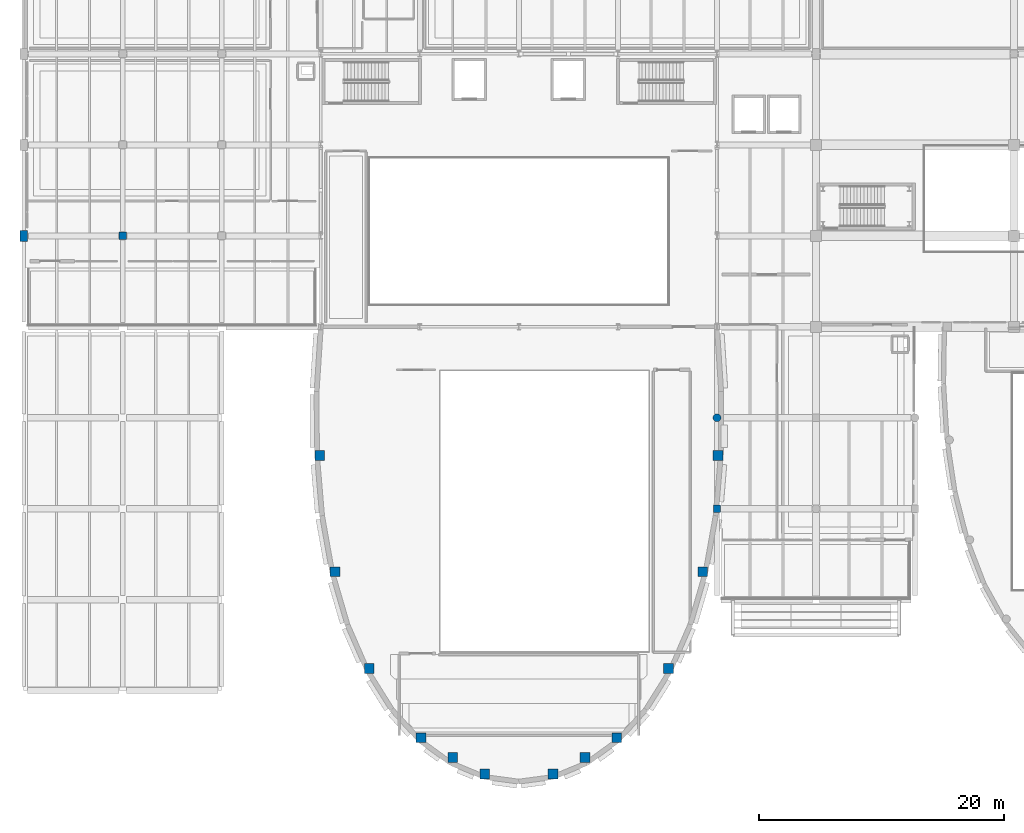
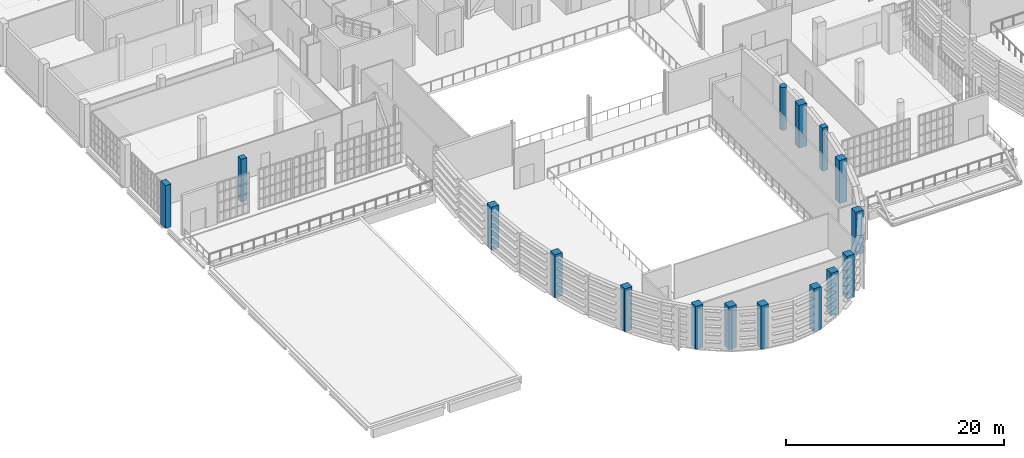
# One storey, part 1 of 104: 16 columns.
"""IFC4 building model written with IfcOpenShell, lengths in metres."""

from ifc_helpers import new_model, si_unit, direction, frame, origin, origin_2d, place, context, subcontext, project, spatial, rectangle, circle, extrude, material, material_profile, profile_set, type_object, element, save


model = new_model("IFC4")

# Units and contexts
model_context = context("Model", 3, precision=1e-05, world=origin(), true_north=direction((0.0, 1.0)))
body_context = subcontext(model_context, "Body", "Model", "MODEL_VIEW")
ifc_project = project(units=[si_unit("LENGTHUNIT", "METRE"), si_unit("AREAUNIT", "SQUARE_METRE"), si_unit("VOLUMEUNIT", "CUBIC_METRE"), si_unit("PLANEANGLEUNIT", "RADIAN"), si_unit("MASSUNIT", "GRAM", prefix="KILO")], contexts=[model_context])

# Site, building, storey
site_placement = place(None, origin())
site = spatial("IfcSite", under=ifc_project, at=site_placement, CompositionType="ELEMENT")
building_placement = place(site_placement, origin())
building = spatial("IfcBuilding", under=site, at=building_placement, Name="Kaelora Sail Theatre", CompositionType="ELEMENT")
storey_placement = place(building_placement, frame((0.0, 0.0, 5.39990234375)))
storey = spatial("IfcBuildingStorey", under=building, at=storey_placement, Name="L01", CompositionType="ELEMENT", Elevation=5.39990234375)

# Columns
ifc_material_1 = material(Name="Concrete C40/50", Category="concrete")
ifc_material_profile_1 = material_profile(ifc_material_1, rectangle(XDim=0.60009765625, YDim=0.60009765625, at=origin_2d()), Name="RC-COL 600x600")
ifc_profile_set_1 = profile_set([ifc_material_profile_1], Name="Concrete C40/50")
column_type_1 = type_object("IfcColumnType", Name="STR-COL-C-RC600", PredefinedType="COLUMN", material=ifc_profile_set_1)
for number, where, z_axis, x_axis, name in (
    (1, (9.60009765625, 68.4599609375, 0.0), (0.0, 0.0, 1.0), (1.0, 0.0, 0.0), "Column 2/J (L01)"),
    (2, (58.199951171875, 46.139892578125, 0.0), (0.0, 0.0, 1.0), (1.0, 0.0, 0.0), "Column 8/G (L01)"),
):
    element("IfcColumn", number, at=place(storey_placement, frame(where, z_axis=z_axis, x_axis=x_axis)), inside=storey, type_object=column_type_1, Name=name, PredefinedType="COLUMN", context=body_context, shape_type="SweptSolid", body=[
        extrude(rectangle(XDim=0.60009765625, YDim=0.60009765625, at=origin_2d()), origin(), (0.0, 0.0, 1.0), 4.800048828125),
    ])
ifc_material_2 = material(Name="Concrete C45/55", Category="concrete")
ifc_material_profile_2 = material_profile(ifc_material_2, rectangle(XDim=0.60009765625, YDim=0.89990234375, at=origin_2d()), Name="RC-COL 600x900")
ifc_profile_set_2 = profile_set([ifc_material_profile_2], Name="Concrete C45/55")
column_type_2 = type_object("IfcColumnType", Name="STR-COL-C-RC6090", PredefinedType="COLUMN", material=ifc_profile_set_2)
column_1_placement = place(storey_placement, frame((1.5, 68.4599609375, 0.0), z_axis=(0.0, 0.0, 1.0), x_axis=(1.0, 0.0, 0.0)))
element("IfcColumn", 3, at=column_1_placement, inside=storey, type_object=column_type_2, Name="Column 1/J (L01)", PredefinedType="COLUMN", context=body_context, shape_type="SweptSolid", body=[
    extrude(rectangle(XDim=0.60009765625, YDim=0.89990234375, at=origin_2d()), origin(), (0.0, 0.0, 1.0), 4.800048828125),
])
ifc_material_3 = material(Name="Concrete C50/60", Category="concrete")
ifc_material_profile_3 = material_profile(ifc_material_3, rectangle(XDim=0.800048828125, YDim=0.800048828125, at=origin_2d()), Name="RC-COL 800x800")
ifc_profile_set_3 = profile_set([ifc_material_profile_3], Name="Concrete C50/60")
column_type_3 = type_object("IfcColumnType", Name="STR-COL-C-RC800", PredefinedType="COLUMN", material=ifc_profile_set_3)
for number, where, z_axis, x_axis, name in (
    (4, (58.28369140625, 50.482421875, 0.0), (0.0, 0.0, 1.0), (1.0, 0.0, 0.0), "Main drum perimeter column MK02 (L01)"),
    (5, (57.040283203125, 40.99072265625, 0.0), (0.0, 0.0, 1.0), (1.0, 0.0, 0.0), "Main drum perimeter column MK04 (L01)"),
    (6, (54.228759765625, 33.08349609375, 0.0), (0.0, 0.0, 1.0), (1.0, 0.0, 0.0), "Main drum perimeter column MK06 (L01)"),
    (7, (49.997314453125, 27.403076171875, 0.0), (0.0, 0.0, 1.0), (1.0, 0.0, 0.0), "Main drum perimeter column MK08 (L01)"),
    (8, (44.78271484375, 24.436767578125, 0.0), (0.0, 0.0, 1.0), (1.0, 0.0, 0.0), "Main drum perimeter column MK10 (L01)"),
    (9, (39.21728515625, 24.436767578125, 0.0), (0.0, 0.0, 1.0), (1.0, 0.0, 0.0), "Main drum perimeter column MK12 (L01)"),
    (10, (34.002685546875, 27.403076171875, 0.0), (0.0, 0.0, 1.0), (1.0, 0.0, 0.0), "Main drum perimeter column MK14 (L01)"),
    (11, (29.771240234375, 33.08349609375, 0.0), (0.0, 0.0, 1.0), (1.0, 0.0, 0.0), "Main drum perimeter column MK16 (L01)"),
    (12, (26.959716796875, 40.99072265625, 0.0), (0.0, 0.0, 1.0), (1.0, 0.0, 0.0), "Main drum perimeter column MK18 (L01)"),
    (13, (25.71630859375, 50.482421875, 0.0), (0.0, 0.0, 1.0), (1.0, 0.0, 0.0), "Main drum perimeter column MK20 (L01)"),
    (14, (36.60009765625, 25.800048828125, 0.0), (0.0, 0.0, 1.0), (1.0, 0.0, 0.0), "Main shell prow fulcrum column W (L01)"),
    (15, (47.39990234375, 25.800048828125, 0.0), (0.0, 0.0, 1.0), (1.0, 0.0, 0.0), "Main shell prow fulcrum column E (L01)"),
):
    element("IfcColumn", number, at=place(storey_placement, frame(where, z_axis=z_axis, x_axis=x_axis)), inside=storey, type_object=column_type_3, Name=name, PredefinedType="COLUMN", context=body_context, shape_type="SweptSolid", body=[
        extrude(rectangle(XDim=0.800048828125, YDim=0.800048828125, at=origin_2d()), origin(), (0.0, 0.0, 1.0), 4.800048828125),
    ])
ifc_material_4 = material(Name="Concrete C45/55", Category="concrete")
ifc_material_profile_4 = material_profile(ifc_material_4, circle(Radius=0.324951171875, at=origin_2d()), Name="RC-CCOL D650")
ifc_profile_set_4 = profile_set([ifc_material_profile_4], Name="Concrete C45/55")
column_type_4 = type_object("IfcColumnType", Name="STR-COL-C-RCD650", PredefinedType="COLUMN", material=ifc_profile_set_4)
column_2_placement = place(storey_placement, frame((58.199951171875, 53.580078125, 0.0), z_axis=(0.0, 0.0, 1.0), x_axis=(1.0, 0.0, 0.0)))
element("IfcColumn", 16, at=column_2_placement, inside=storey, type_object=column_type_4, Name="Column 8/H (L01)", PredefinedType="COLUMN", context=body_context, shape_type="SweptSolid", body=[
    extrude(circle(Radius=0.324951171875, at=origin_2d()), origin(), (0.0, 0.0, 1.0), 4.800048828125),
])

save(model, "model.ifc")
